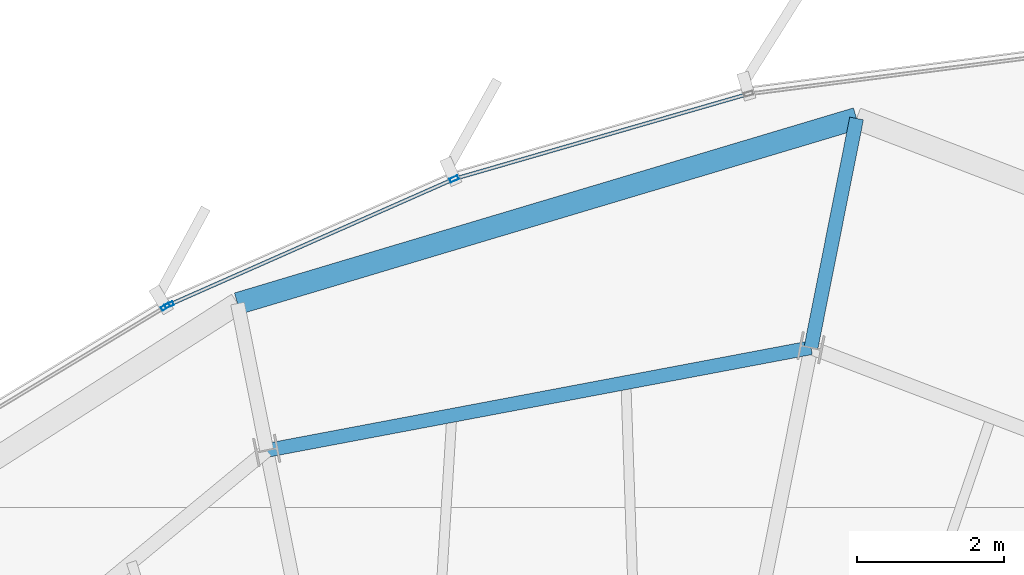
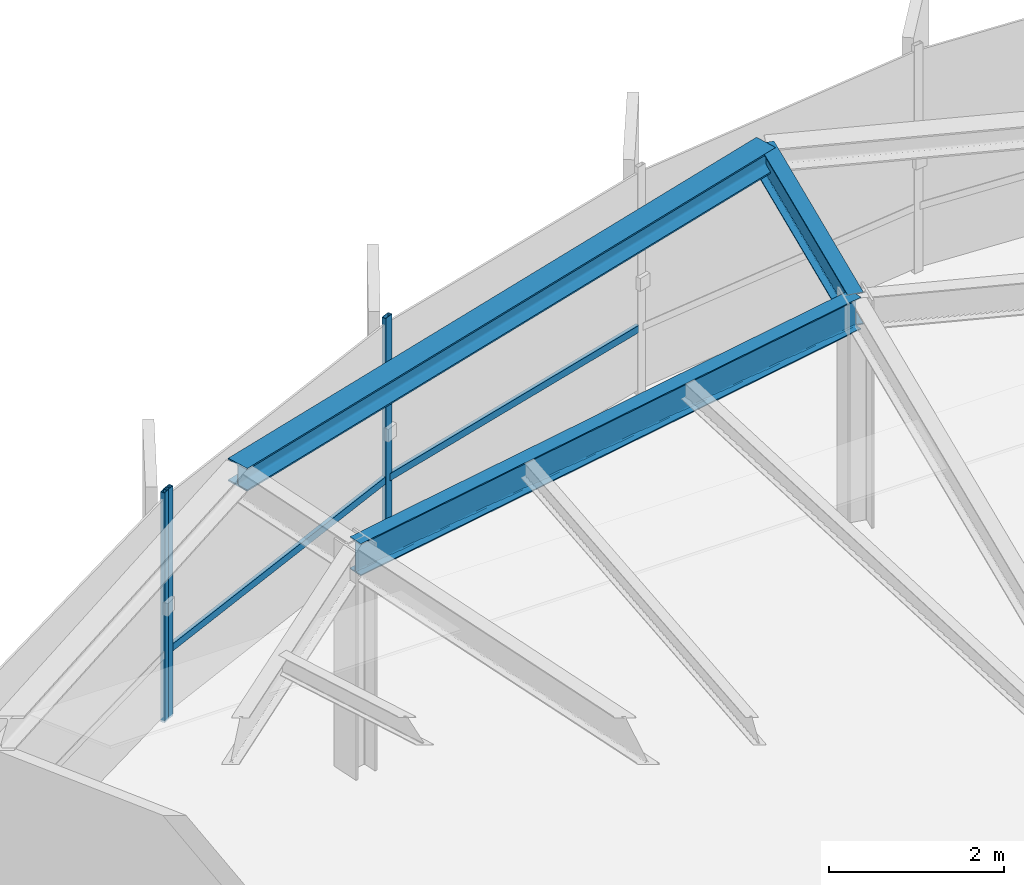
# One storey, part 21 of 33: 5 members, 3 beams, 2 elements without a shape of their own.
"""IFC4 building model written with IfcOpenShell, lengths in metres."""

from ifc_helpers import new_model, si_unit, direction, frame, origin, origin_2d, place, context, subcontext, project, spatial, hollow_rectangle, i_section, extrude, source, transform, mapped, material, layer, layer_set, material_profile, profile_set, type_object, element, aggregate, save


model = new_model("IFC4")

# Units and contexts
model_context = context("Model", 3, precision=1e-05, world=origin(), true_north=direction((0.0, 1.0)))
body_context = subcontext(model_context, "Body", "Model", "MODEL_VIEW")
ifc_project = project(units=[si_unit("LENGTHUNIT", "METRE"), si_unit("AREAUNIT", "SQUARE_METRE"), si_unit("VOLUMEUNIT", "CUBIC_METRE"), si_unit("PLANEANGLEUNIT", "RADIAN"), si_unit("MASSUNIT", "GRAM", prefix="KILO"), si_unit("THERMODYNAMICTEMPERATUREUNIT", "KELVIN")], contexts=[model_context])

# Site, building, storey
site_placement = place(None, origin())
site = spatial("IfcSite", under=ifc_project, at=site_placement, CompositionType="ELEMENT")
building_placement = place(site_placement, origin())
building = spatial("IfcBuilding", under=site, at=building_placement, Name="Kethvar Cultural Tower", CompositionType="ELEMENT")
storey_placement = place(building_placement, frame((0.0, 0.0, 238.75)))
storey = spatial("IfcBuildingStorey", under=building, at=storey_placement, Name="L62", CompositionType="ELEMENT", Elevation=238.75)

# Beams
ifc_material_1 = material(Name="Steel S355J2", Category="steel")
ifc_material_profile_1 = material_profile(ifc_material_1, i_section(OverallWidth=0.18994140625, OverallDepth=0.449951171875, WebThickness=0.009521484375, FlangeThickness=0.0146484375, FilletRadius=0.02099609375, at=origin_2d()), Name="Steel S355J2 — IPE450")
ifc_profile_set_1 = profile_set([ifc_material_profile_1], Name="Steel S355J2 — IPE450")
beam_type_1 = type_object("IfcBeamType", Name="BM-IPE450", PredefinedType="BEAM", material=ifc_profile_set_1)
shared_shape_1 = source(origin(), body_context, "Body", "SweptSolid", [
    extrude(i_section(OverallWidth=0.18994140625, OverallDepth=0.449951171875, WebThickness=0.009521484375, FlangeThickness=0.0146484375, FilletRadius=0.02099609375, at=origin_2d()), origin(), (0.0, 0.0, 1.0), 7.543212890625),
])
beam_1_placement = place(storey_placement, frame((50.645263671875, 47.131591796875, 2.98291015625), z_axis=(-0.982646853086, -0.185486285532, 0.0), x_axis=(0.185486285532, -0.982646853086, 0.0)))
element("IfcBeam", 1, at=beam_1_placement, inside=storey, type_object=beam_type_1, Name="L62 Column Ring Tie Beam CR-04", PredefinedType="BEAM", context=body_context, shape_type="MappedRepresentation", body=[
    mapped(shared_shape_1, transform((0.0, 0.0, 0.0), scale=1.0)),
])
shared_shape_2 = source(origin(), body_context, "Body", "SweptSolid", [
    extrude(i_section(OverallWidth=0.18994140625, OverallDepth=0.449951171875, WebThickness=0.009521484375, FlangeThickness=0.0146484375, FilletRadius=0.02099609375, at=origin_2d()), origin(), (0.0, 0.0, 1.0), 3.18310546875),
])
beam_2_placement = place(storey_placement, frame((50.645263671875, 47.131591796875, 2.98291015625), z_axis=(0.195127770493, 0.980777830695, 0.0), x_axis=(-0.980777830695, 0.195127770493, 0.0)))
element("IfcBeam", 2, at=beam_2_placement, inside=storey, type_object=beam_type_1, Name="L62 Perimeter Cantilever Beam RC-04", PredefinedType="BEAM", context=body_context, shape_type="MappedRepresentation", body=[
    mapped(shared_shape_2, transform((0.0, 0.0, 0.0), scale=1.0)),
])
ifc_material_profile_2 = material_profile(ifc_material_1, i_section(OverallWidth=0.300048828125, OverallDepth=0.320068359375, WebThickness=0.011474609375, FlangeThickness=0.0205078125, FilletRadius=0.027099609375, at=origin_2d()), Name="Steel S355J2 — HEB320")
ifc_profile_set_2 = profile_set([ifc_material_profile_2], Name="Steel S355J2 — HEB320")
beam_type_2 = type_object("IfcBeamType", Name="BM-SP320", PredefinedType="SPANDREL", material=ifc_profile_set_2)
shared_shape_3 = source(origin(), body_context, "Body", "SweptSolid", [
    extrude(i_section(OverallWidth=0.300048828125, OverallDepth=0.320068359375, WebThickness=0.011474609375, FlangeThickness=0.0205078125, FilletRadius=0.027099609375, at=origin_2d()), origin(), (0.0, 0.0, 1.0), 8.7998046875),
])
beam_3_placement = place(storey_placement, frame((51.266357421875, 50.25341796875, 3.048095703125), z_axis=(-0.958094647435, -0.2864518224, 0.0), x_axis=(0.2864518224, -0.958094647435, 0.0)))
element("IfcBeam", 3, at=beam_3_placement, inside=storey, type_object=beam_type_2, Name="L62 Perimeter Spandrel Beam SP-04", PredefinedType="SPANDREL", context=body_context, shape_type="MappedRepresentation", body=[
    mapped(shared_shape_3, transform((0.0, 0.0, 0.0), scale=1.0)),
])

# Curtain wall, members
ifc_material_2 = material(Name="Aluminium 6063-T6", Category="aluminium")
ifc_layer = layer(ifc_material_2, 0.179931640625, Name="Aluminium 6063-T6", Category="aluminium")
ifc_layer_set = layer_set([ifc_layer], Name="Aluminium 6063-T6 (180 mm)")
curtain_wall_type = type_object("IfcCurtainWallType", Name="CW-SYS-05-Z56", PredefinedType="NOTDEFINED", material=ifc_layer_set)
curtain_wall_1_placement = place(storey_placement, origin())
curtain_wall_1 = element("IfcCurtainWall", 4, at=curtain_wall_1_placement, inside=storey, type_object=curtain_wall_type, Name="L62 Curtain Wall Run 01", PredefinedType="NOTDEFINED")
ifc_material_profile_3 = material_profile(ifc_material_2, hollow_rectangle(XDim=0.054931640625, YDim=0.1201171875, WallThickness=0.00390625, at=origin_2d()), Name="Aluminium 6063-T6 — RHS120x55x4")
ifc_profile_set_3 = profile_set([ifc_material_profile_3], Name="Aluminium 6063-T6 — RHS120x55x4")
member_type_1 = type_object("IfcMemberType", Name="CW-SYS-05-Z56-MUL", PredefinedType="MULLION", material=ifc_profile_set_3)
shared_shape_4 = source(origin(), body_context, "Body", "SweptSolid", [
    extrude(hollow_rectangle(XDim=0.054931640625, YDim=0.1201171875, WallThickness=0.00390625, at=origin_2d()), origin(), (0.0, 0.0, 1.0), 3.2099609375),
])
member_1_placement = place(storey_placement, frame((45.785400390625, 49.430419921875, 0.0), z_axis=(0.0, 0.0, 1.0), x_axis=(0.404199924384, -0.914670662658, 0.0)))
member_1 = element("IfcMember", 5, at=member_1_placement, type_object=member_type_1, Name="CW-L62-R01 Mullion 6", PredefinedType="MULLION", context=body_context, shape_type="MappedRepresentation", body=[
    mapped(shared_shape_4, transform((0.0, 0.0, 0.0), scale=1.0)),
])
member_2_placement = place(storey_placement, frame((41.904296875, 47.71533203125, 0.0), z_axis=(0.0, 0.0, 1.0), x_axis=(0.404199924384, -0.914670662658, 0.0)))
member_2 = element("IfcMember", 6, at=member_2_placement, type_object=member_type_1, Name="CW-L62-R01 Mullion 7", PredefinedType="MULLION", context=body_context, shape_type="MappedRepresentation", body=[
    mapped(shared_shape_4, transform((0.0, 0.0, 0.0), scale=1.0)),
])

# Curtain wall, member
curtain_wall_2_placement = place(storey_placement, origin())
curtain_wall_2 = element("IfcCurtainWall", 7, at=curtain_wall_2_placement, inside=storey, type_object=curtain_wall_type, Name="L62 Curtain Wall Run 02", PredefinedType="NOTDEFINED")
member_3_placement = place(storey_placement, frame((41.852294921875, 47.688232421875, 0.0), z_axis=(0.0, 0.0, 1.0), x_axis=(0.517130990138, -0.855906267671, 0.0)))
member_3 = element("IfcMember", 8, at=member_3_placement, type_object=member_type_1, Name="CW-L62-R02 Mullion 1", PredefinedType="MULLION", context=body_context, shape_type="MappedRepresentation", body=[
    mapped(shared_shape_4, transform((0.0, 0.0, 0.0), scale=1.0)),
])
aggregate(curtain_wall_2, [member_3])

# Member
ifc_material_profile_4 = material_profile(ifc_material_2, hollow_rectangle(XDim=0.050048828125, YDim=0.10009765625, WallThickness=0.00390625, at=origin_2d()), Name="Aluminium 6063-T6 — RHS100x50x4")
ifc_profile_set_4 = profile_set([ifc_material_profile_4], Name="Aluminium 6063-T6 — RHS100x50x4")
member_type_2 = type_object("IfcMemberType", Name="CW-SYS-05-Z56-TRN", PredefinedType="USERDEFINED", material=ifc_profile_set_4)
shared_shape_5 = source(origin(), body_context, "Body", "SweptSolid", [
    extrude(hollow_rectangle(XDim=0.050048828125, YDim=0.10009765625, WallThickness=0.00390625, at=origin_2d()), origin(), (0.0, 0.0, 1.0), 4.10888671875),
])
member_4_placement = place(storey_placement, frame((49.758056640625, 50.577880859375, 0.949951171875), z_axis=(-0.960662765048, -0.277717575695, 0.0), x_axis=(0.277717575695, -0.960662765048, 0.0)))
member_4 = element("IfcMember", 9, at=member_4_placement, type_object=member_type_2, Name="CW-L62-R01 Transom 5", ObjectType="TRANSOM", PredefinedType="USERDEFINED", context=body_context, shape_type="MappedRepresentation", body=[
    mapped(shared_shape_5, transform((0.0, 0.0, 0.0), scale=1.0)),
])

shared_shape_6 = source(origin(), body_context, "Body", "SweptSolid", [
    extrude(hollow_rectangle(XDim=0.050048828125, YDim=0.10009765625, WallThickness=0.00390625, at=origin_2d()), origin(), (0.0, 0.0, 1.0), 4.199951171875),
])
member_5_placement = place(storey_placement, frame((45.749267578125, 49.414306640625, 0.949951171875), z_axis=(-0.914679607284, -0.404179682837, 0.0), x_axis=(0.404179682837, -0.914679607284, 0.0)))
member_5 = element("IfcMember", 10, at=member_5_placement, type_object=member_type_2, Name="CW-L62-R01 Transom 6", ObjectType="TRANSOM", PredefinedType="USERDEFINED", context=body_context, shape_type="MappedRepresentation", body=[
    mapped(shared_shape_6, transform((0.0, 0.0, 0.0), scale=1.0)),
])

aggregate(curtain_wall_1, [member_1, member_2, member_4, member_5])

save(model, "model.ifc")
